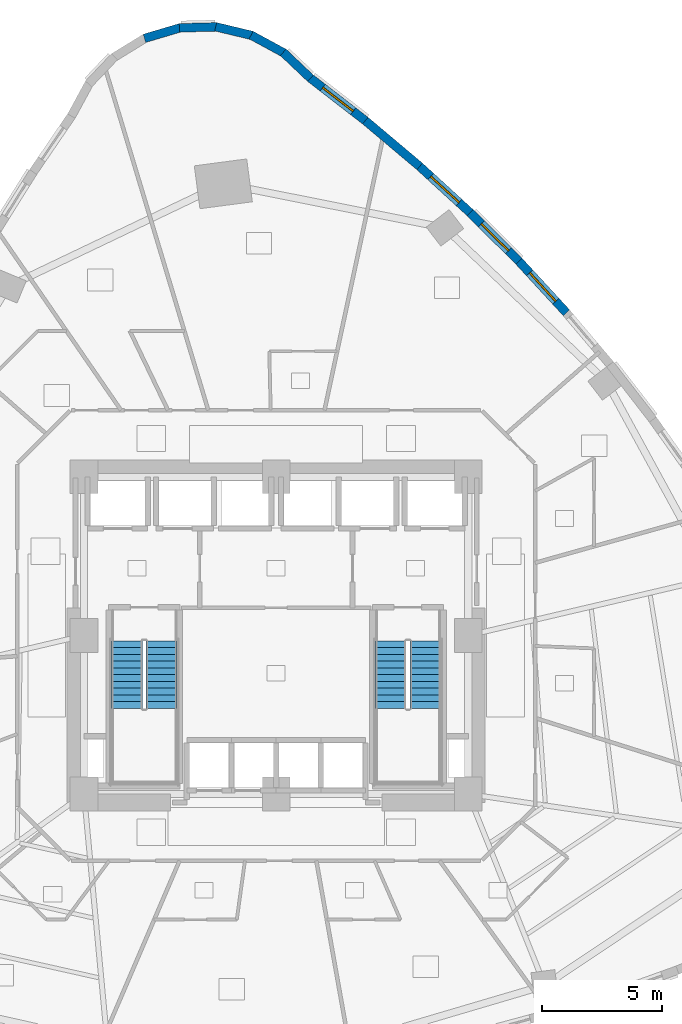
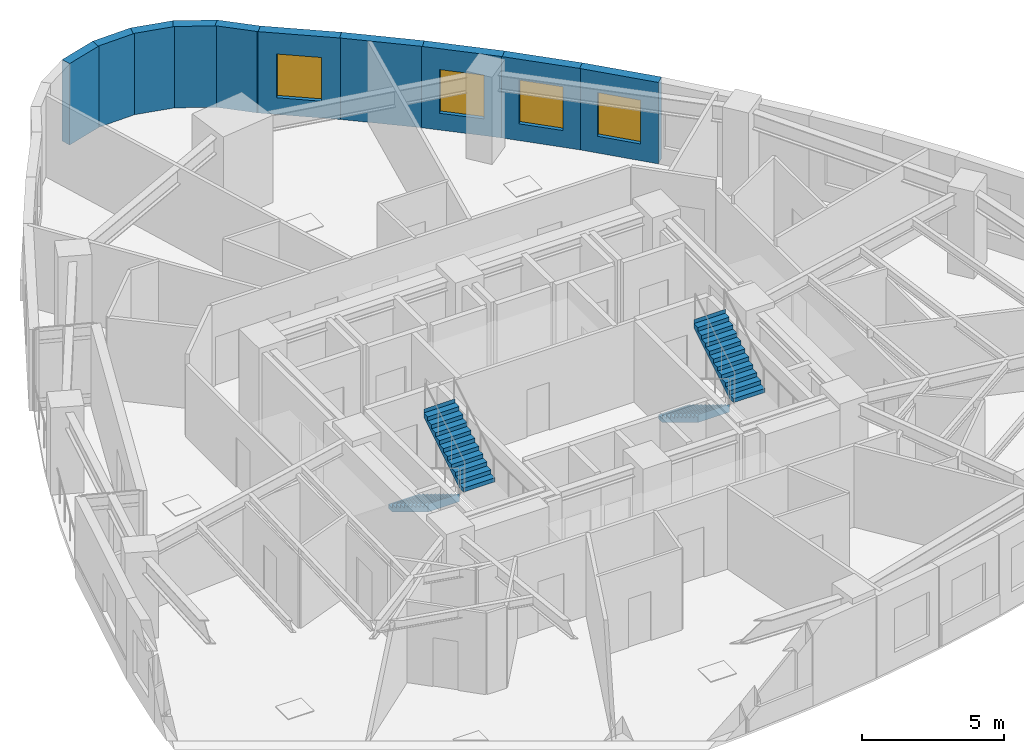
# One storey, part 9 of 12: 10 walls, 4 stair flights, 4 windows, 4 openings, 2 elements without a shape of their own.
"""IFC4 building model written with IfcOpenShell, lengths in metres."""

from ifc_helpers import new_model, si_unit, direction, frame, frame_2d, origin, place, context, subcontext, project, spatial, polyline, rectangle, outline, extrude, material, layer, layer_set, type_object, element, fill, aggregate, save


model = new_model("IFC4")

# Units and contexts
model_context = context("Model", 3, precision=1e-05, world=origin(), true_north=direction((0.0, 1.0)))
body_context = subcontext(model_context, "Body", "Model", "MODEL_VIEW")
ifc_project = project(units=[si_unit("LENGTHUNIT", "METRE"), si_unit("AREAUNIT", "SQUARE_METRE"), si_unit("VOLUMEUNIT", "CUBIC_METRE"), si_unit("PLANEANGLEUNIT", "RADIAN"), si_unit("MASSUNIT", "GRAM", prefix="KILO")], contexts=[model_context])

# Site, building, storey
site_placement = place(None, origin())
site = spatial("IfcSite", under=ifc_project, at=site_placement, CompositionType="ELEMENT")
building_placement = place(site_placement, origin())
building = spatial("IfcBuilding", under=site, at=building_placement, Name="Ndelora Gate Hotel", CompositionType="ELEMENT")
storey_placement = place(building_placement, frame((0.0, 0.0, 64.25)))
storey = spatial("IfcBuildingStorey", under=building, at=storey_placement, Name="L15", CompositionType="ELEMENT", Elevation=64.25)

# Walls
ifc_material_1 = material(Name="Clay Brick Masonry", Category="masonry")
ifc_layer = layer(ifc_material_1, 0.360107421875)
ifc_layer_set = layer_set([ifc_layer], Name="Clay Brick Masonry")
wall_type = type_object("IfcWallType", Name="WL-BRICK-360", PredefinedType="SOLIDWALL", material=ifc_layer_set)
for number, where, z_axis, x_axis, name in (
    (1, (0.29248046875, 24.2734375, 0.0), (0.0, 0.0, 1.0), (0.725361771345, -0.688367852729, 0.0), "L15 Tower Brick Pier-and-Spandrel Wall TWR-1"),
    (2, (-1.0419921875, 24.99072265625, 0.0), (0.0, 0.0, 1.0), (0.878806678118, -0.477177977799, 0.0), "L15 Tower Brick Pier-and-Spandrel Wall TWR-2"),
    (3, (-2.5166015625, 25.337890625, 0.0), (0.0, 0.0, 1.0), (0.972385884962, -0.233378856641, 0.0), "L15 Tower Brick Pier-and-Spandrel Wall TWR-3"),
):
    element("IfcWall", number, at=place(storey_placement, frame(where, z_axis=z_axis, x_axis=x_axis)), inside=storey, type_object=wall_type, Name=name, PredefinedType="SOLIDWALL", context=body_context, shape_type="SweptSolid", body=[
        extrude(rectangle(XDim=1.56396484375, YDim=0.360107421875, at=frame_2d((0.781982421875, 0.0))), origin(), (0.0, 0.0, 1.0), 3.5),
    ])
for number, where, z_axis, x_axis, name in (
    (4, (-4.031005859375, 25.2919921875, 0.0), (0.0, 0.0, 1.0), (0.999656183846, 0.026220490068, 0.0), "L15 Tower Brick Pier-and-Spandrel Wall TWR-4"),
    (5, (-5.481689453125, 24.85546875, 0.0), (0.0, 0.0, 1.0), (0.958804410816, 0.284067072714, 0.0), "L15 Tower Brick Pier-and-Spandrel Wall TWR-5"),
):
    element("IfcWall", number, at=place(storey_placement, frame(where, z_axis=z_axis, x_axis=x_axis)), inside=storey, type_object=wall_type, Name=name, PredefinedType="SOLIDWALL", context=body_context, shape_type="SweptSolid", body=[
        extrude(rectangle(XDim=1.564208984375, YDim=0.360107421875, at=frame_2d((0.7822265625, 0.0))), origin(), (0.0, 0.0, 1.0), 3.5),
    ])

# Wall, opening, window
wall_1_placement = place(storey_placement, frame((10.108642578125, 15.57568359375, 0.0), z_axis=(0.0, 0.0, 1.0), x_axis=(0.677705882399, -0.735333078925, 0.0)))
wall_1 = element("IfcWall", 6, at=wall_1_placement, inside=storey, type_object=wall_type, Name="L15 Tower Brick Pier-and-Spandrel Wall TWR-54", PredefinedType="SOLIDWALL", context=body_context, shape_type="SweptSolid", body=[
    extrude(rectangle(XDim=2.914794921875, YDim=0.360107421875, at=frame_2d((1.45751953125, 0.0))), origin(), (0.0, 0.0, 1.0), 3.5),
])
opening_1_placement = place(wall_1_placement, frame((0.657470703125, 0.0, 0.719970703125)))
opening_1 = element("IfcOpeningElement", 7, at=opening_1_placement, cuts=wall_1, Name="Opening W01", PredefinedType="OPENING", context=body_context, shape_type="SweptSolid", body=[
    extrude(rectangle(XDim=1.60009765625, YDim=1.8798828125, at=frame_2d((0.800048828125, 0.93994140625))), frame((0.0, 0.18994140625, 0.0), z_axis=(0.0, -1.0, 0.0), x_axis=(1.0, 0.0, 0.0)), (0.0, 0.0, 1.0), 0.380126953125),
])
ifc_material_2 = material(Name="Insulated Low-E Double Glazing in Bronze Aluminium Frame", Category="aluminium")
window_type = type_object("IfcWindowType", Name="WN-DEEP-1600", PartitioningType="SINGLE_PANEL", PredefinedType="WINDOW", material=ifc_material_2)
window_1_placement = place(opening_1_placement, origin())
window_1 = element("IfcWindow", 8, at=window_1_placement, inside=storey, type_object=window_type, Name="L15 Deep-Set Brick-Pier Window W01", OverallHeight=1.8798828125, OverallWidth=1.60009765625, PartitioningType="SINGLE_PANEL", PredefinedType="WINDOW", context=body_context, shape_type="SweptSolid", body=[
    extrude(rectangle(XDim=1.60009765625, YDim=1.8798828125, at=frame_2d((0.800048828125, 0.93994140625))), frame((0.0, 0.030029296875, 0.0), z_axis=(0.0, -1.0, 0.0), x_axis=(1.0, 0.0, 0.0)), (0.0, 0.0, 1.0), 0.06005859375),
])
fill(opening_1, window_1)

wall_2_placement = place(storey_placement, frame((8.071044921875, 17.6044921875, 0.0), z_axis=(0.0, 0.0, 1.0), x_axis=(0.708357483008, -0.705853863251, 0.0)))
wall_2 = element("IfcWall", 9, at=wall_2_placement, inside=storey, type_object=wall_type, Name="L15 Tower Brick Pier-and-Spandrel Wall TWR-55", PredefinedType="SOLIDWALL", context=body_context, shape_type="SweptSolid", body=[
    extrude(rectangle(XDim=2.925537109375, YDim=0.360107421875, at=frame_2d((1.462890625, 0.0))), origin(), (0.0, 0.0, 1.0), 3.5),
])
opening_2_placement = place(wall_2_placement, frame((0.66259765625, 0.0, 0.719970703125)))
opening_2 = element("IfcOpeningElement", 10, at=opening_2_placement, cuts=wall_2, Name="Opening W01", PredefinedType="OPENING", context=body_context, shape_type="SweptSolid", body=[
    extrude(rectangle(XDim=1.60009765625, YDim=1.8798828125, at=frame_2d((0.800048828125, 0.93994140625))), frame((0.0, 0.18994140625, 0.0), z_axis=(0.0, -1.0, 0.0), x_axis=(1.0, 0.0, 0.0)), (0.0, 0.0, 1.0), 0.380126953125),
])
window_2_placement = place(opening_2_placement, origin())
window_2 = element("IfcWindow", 11, at=window_2_placement, inside=storey, type_object=window_type, Name="L15 Deep-Set Brick-Pier Window W01", OverallHeight=1.8798828125, OverallWidth=1.60009765625, PartitioningType="SINGLE_PANEL", PredefinedType="WINDOW", context=body_context, shape_type="SweptSolid", body=[
    extrude(rectangle(XDim=1.60009765625, YDim=1.8798828125, at=frame_2d((0.800048828125, 0.93994140625))), frame((0.0, 0.030029296875, 0.0), z_axis=(0.0, -1.0, 0.0), x_axis=(1.0, 0.0, 0.0)), (0.0, 0.0, 1.0), 0.06005859375),
])
fill(opening_2, window_2)

wall_3_placement = place(storey_placement, frame((5.938720703125, 19.556396484375, 0.0), z_axis=(0.0, 0.0, 1.0), x_axis=(0.73735397448, -0.67550656275, 0.0)))
wall_3 = element("IfcWall", 12, at=wall_3_placement, inside=storey, type_object=wall_type, Name="L15 Tower Brick Pier-and-Spandrel Wall TWR-56", PredefinedType="SOLIDWALL", context=body_context, shape_type="SweptSolid", body=[
    extrude(rectangle(XDim=2.94091796875, YDim=0.360107421875, at=frame_2d((1.470458984375, 0.0))), origin(), (0.0, 0.0, 1.0), 3.5),
])
opening_3_placement = place(wall_3_placement, frame((0.67041015625, 0.0, 0.719970703125)))
opening_3 = element("IfcOpeningElement", 13, at=opening_3_placement, cuts=wall_3, Name="Opening W01", PredefinedType="OPENING", context=body_context, shape_type="SweptSolid", body=[
    extrude(rectangle(XDim=1.60009765625, YDim=1.8798828125, at=frame_2d((0.800048828125, 0.93994140625))), frame((0.0, 0.18994140625, 0.0), z_axis=(0.0, -1.0, 0.0), x_axis=(1.0, 0.0, 0.0)), (0.0, 0.0, 1.0), 0.380126953125),
])
window_3_placement = place(opening_3_placement, origin())
window_3 = element("IfcWindow", 14, at=window_3_placement, inside=storey, type_object=window_type, Name="L15 Deep-Set Brick-Pier Window W01", OverallHeight=1.8798828125, OverallWidth=1.60009765625, PartitioningType="SINGLE_PANEL", PredefinedType="WINDOW", context=body_context, shape_type="SweptSolid", body=[
    extrude(rectangle(XDim=1.60009765625, YDim=1.8798828125, at=frame_2d((0.800048828125, 0.93994140625))), frame((0.0, 0.030029296875, 0.0), z_axis=(0.0, -1.0, 0.0), x_axis=(1.0, 0.0, 0.0)), (0.0, 0.0, 1.0), 0.06005859375),
])
fill(opening_3, window_3)

# Wall
wall_4_placement = place(storey_placement, frame((3.71142578125, 21.431396484375, 0.0), z_axis=(0.0, 0.0, 1.0), x_axis=(0.764797881092, -0.644270285732, 0.0)))
element("IfcWall", 15, at=wall_4_placement, inside=storey, type_object=wall_type, Name="L15 Tower Brick Pier-and-Spandrel Wall TWR-57", PredefinedType="SOLIDWALL", context=body_context, shape_type="SweptSolid", body=[
    extrude(rectangle(XDim=2.96142578125, YDim=0.360107421875, at=frame_2d((1.480712890625, 0.0))), origin(), (0.0, 0.0, 1.0), 3.5),
])

# Wall, opening, window
wall_5_placement = place(storey_placement, frame((1.388916015625, 23.229248046875, 0.0), z_axis=(0.0, 0.0, 1.0), x_axis=(0.79052584694, -0.612428677742, 0.0)))
wall_5 = element("IfcWall", 16, at=wall_5_placement, inside=storey, type_object=wall_type, Name="L15 Tower Brick Pier-and-Spandrel Wall TWR-58", PredefinedType="SOLIDWALL", context=body_context, shape_type="SweptSolid", body=[
    extrude(rectangle(XDim=2.987060546875, YDim=0.360107421875, at=frame_2d((1.49365234375, 0.0))), origin(), (0.0, 0.0, 1.0), 3.5),
])
opening_4_placement = place(wall_5_placement, frame((0.693603515625, 0.0, 0.719970703125)))
opening_4 = element("IfcOpeningElement", 17, at=opening_4_placement, cuts=wall_5, Name="Opening W01", PredefinedType="OPENING", context=body_context, shape_type="SweptSolid", body=[
    extrude(rectangle(XDim=1.60009765625, YDim=1.8798828125, at=frame_2d((0.800048828125, 0.93994140625))), frame((0.0, 0.18994140625, 0.0), z_axis=(0.0, -1.0, 0.0), x_axis=(1.0, 0.0, 0.0)), (0.0, 0.0, 1.0), 0.380126953125),
])
window_4_placement = place(opening_4_placement, origin())
window_4 = element("IfcWindow", 18, at=window_4_placement, inside=storey, type_object=window_type, Name="L15 Deep-Set Brick-Pier Window W01", OverallHeight=1.8798828125, OverallWidth=1.60009765625, PartitioningType="SINGLE_PANEL", PredefinedType="WINDOW", context=body_context, shape_type="SweptSolid", body=[
    extrude(rectangle(XDim=1.60009765625, YDim=1.8798828125, at=frame_2d((0.800048828125, 0.93994140625))), frame((0.0, 0.030029296875, 0.0), z_axis=(0.0, -1.0, 0.0), x_axis=(1.0, 0.0, 0.0)), (0.0, 0.0, 1.0), 0.06005859375),
])
fill(opening_4, window_4)

# Stair, stair flights
ifc_material_3 = material(Name="Precast concrete C40/50", Category="concrete")
stair_type = type_object("IfcStairType", Name="STR-DOG-CORE", PredefinedType="HALF_TURN_STAIR", material=ifc_material_3)
stair_1_placement = place(storey_placement, origin())
stair_1 = element("IfcStair", 19, at=stair_1_placement, inside=storey, type_object=stair_type, Name="L15 Protected Core Exit Stair ST4", PredefinedType="HALF_TURN_STAIR")
stair_flight_type = type_object("IfcStairFlightType", Name="STF-PRECAST", PredefinedType="STRAIGHT", material=ifc_material_3)
stair_flight_1_placement = place(storey_placement, frame((-6.2099609375, -0.22998046875, 0.0), z_axis=(0.0, 0.0, 1.0), x_axis=(0.0, -1.0, 0.0)))
stair_flight_1 = element("IfcStairFlight", 20, at=stair_flight_1_placement, type_object=stair_flight_type, Name="ST4 flight 1", NumberOfRisers=11, NumberOfTreads=10, PredefinedType="STRAIGHT", RiserHeight=0.170454545, TreadLength=0.28, context=body_context, shape_type="SweptSolid", body=[
    extrude(outline(polyline([(-0.00048828125, 0.0), (-0.00048828125, 0.17041015625), (0.0, 0.17041015625), (0.280029296875, 0.17041015625), (0.280029296875, 0.3408203125), (0.56005859375, 0.3408203125), (0.56005859375, 0.511474609375), (0.840087890625, 0.511474609375), (0.840087890625, 0.681884765625), (1.1201171875, 0.681884765625), (1.1201171875, 0.852294921875), (1.39990234375, 0.852294921875), (1.39990234375, 1.022705078125), (1.679931640625, 1.022705078125), (1.679931640625, 1.193115234375), (1.9599609375, 1.193115234375), (1.9599609375, 1.363525390625), (2.239990234375, 1.363525390625), (2.239990234375, 1.5341796875), (2.52001953125, 1.5341796875), (2.52001953125, 1.70458984375), (2.800048828125, 1.70458984375), (2.800048828125, 1.875), (2.800537109375, 1.875), (2.800537109375, 1.695068359375), (2.800048828125, 1.529052734375), (0.288330078125, 0.0), (-0.00048828125, 0.0)])), frame((0.0, 0.64013671875, 0.0), z_axis=(0.0, -1.0, 0.0), x_axis=(1.0, 0.0, 0.0)), (0.0, 0.0, 1.0), 1.280029296875),
])
stair_flight_2_placement = place(storey_placement, frame((-4.77001953125, -3.030029296875, 1.875), z_axis=(0.0, 0.0, 1.0), x_axis=(0.0, 1.0, 0.0)))
stair_flight_2 = element("IfcStairFlight", 21, at=stair_flight_2_placement, type_object=stair_flight_type, Name="ST4 flight 2", NumberOfRisers=11, NumberOfTreads=10, PredefinedType="STRAIGHT", RiserHeight=0.170454545, TreadLength=0.28, context=body_context, shape_type="SweptSolid", body=[
    extrude(outline(polyline([(-0.00048828125, 0.0), (-0.00048828125, 0.17041015625), (0.0, 0.17041015625), (0.280029296875, 0.17041015625), (0.280029296875, 0.3408203125), (0.56005859375, 0.3408203125), (0.56005859375, 0.511474609375), (0.840087890625, 0.511474609375), (0.840087890625, 0.681884765625), (1.1201171875, 0.681884765625), (1.1201171875, 0.852294921875), (1.39990234375, 0.852294921875), (1.39990234375, 1.022705078125), (1.679931640625, 1.022705078125), (1.679931640625, 1.193115234375), (1.9599609375, 1.193115234375), (1.9599609375, 1.363525390625), (2.239990234375, 1.363525390625), (2.239990234375, 1.5341796875), (2.52001953125, 1.5341796875), (2.52001953125, 1.70458984375), (2.800048828125, 1.70458984375), (2.800048828125, 1.875), (2.800537109375, 1.875), (2.800537109375, 1.695068359375), (2.800048828125, 1.529052734375), (0.288330078125, 0.0), (-0.00048828125, 0.0)])), frame((0.0, 0.64013671875, 0.0), z_axis=(0.0, -1.0, 0.0), x_axis=(1.0, 0.0, 0.0)), (0.0, 0.0, 1.0), 1.280029296875),
])
aggregate(stair_1, [stair_flight_1, stair_flight_2])

stair_2_placement = place(storey_placement, origin())
stair_2 = element("IfcStair", 22, at=stair_2_placement, inside=storey, type_object=stair_type, Name="L15 Protected Core Exit Stair ST5", PredefinedType="HALF_TURN_STAIR")
stair_flight_3_placement = place(storey_placement, frame((4.77001953125, -0.22998046875, 0.0), z_axis=(0.0, 0.0, 1.0), x_axis=(0.0, -1.0, 0.0)))
stair_flight_3 = element("IfcStairFlight", 23, at=stair_flight_3_placement, type_object=stair_flight_type, Name="ST5 flight 1", NumberOfRisers=11, NumberOfTreads=10, PredefinedType="STRAIGHT", RiserHeight=0.170454545, TreadLength=0.28, context=body_context, shape_type="SweptSolid", body=[
    extrude(outline(polyline([(-0.00048828125, 0.0), (-0.00048828125, 0.17041015625), (0.0, 0.17041015625), (0.280029296875, 0.17041015625), (0.280029296875, 0.3408203125), (0.56005859375, 0.3408203125), (0.56005859375, 0.511474609375), (0.840087890625, 0.511474609375), (0.840087890625, 0.681884765625), (1.1201171875, 0.681884765625), (1.1201171875, 0.852294921875), (1.39990234375, 0.852294921875), (1.39990234375, 1.022705078125), (1.679931640625, 1.022705078125), (1.679931640625, 1.193115234375), (1.9599609375, 1.193115234375), (1.9599609375, 1.363525390625), (2.239990234375, 1.363525390625), (2.239990234375, 1.5341796875), (2.52001953125, 1.5341796875), (2.52001953125, 1.70458984375), (2.800048828125, 1.70458984375), (2.800048828125, 1.875), (2.800537109375, 1.875), (2.800537109375, 1.695068359375), (2.800048828125, 1.529052734375), (0.288330078125, 0.0), (-0.00048828125, 0.0)])), frame((0.0, 0.64013671875, 0.0), z_axis=(0.0, -1.0, 0.0), x_axis=(1.0, 0.0, 0.0)), (0.0, 0.0, 1.0), 1.280029296875),
])
stair_flight_4_placement = place(storey_placement, frame((6.2099609375, -3.030029296875, 1.875), z_axis=(0.0, 0.0, 1.0), x_axis=(0.0, 1.0, 0.0)))
stair_flight_4 = element("IfcStairFlight", 24, at=stair_flight_4_placement, type_object=stair_flight_type, Name="ST5 flight 2", NumberOfRisers=11, NumberOfTreads=10, PredefinedType="STRAIGHT", RiserHeight=0.170454545, TreadLength=0.28, context=body_context, shape_type="SweptSolid", body=[
    extrude(outline(polyline([(-0.00048828125, 0.0), (-0.00048828125, 0.17041015625), (0.0, 0.17041015625), (0.280029296875, 0.17041015625), (0.280029296875, 0.3408203125), (0.56005859375, 0.3408203125), (0.56005859375, 0.511474609375), (0.840087890625, 0.511474609375), (0.840087890625, 0.681884765625), (1.1201171875, 0.681884765625), (1.1201171875, 0.852294921875), (1.39990234375, 0.852294921875), (1.39990234375, 1.022705078125), (1.679931640625, 1.022705078125), (1.679931640625, 1.193115234375), (1.9599609375, 1.193115234375), (1.9599609375, 1.363525390625), (2.239990234375, 1.363525390625), (2.239990234375, 1.5341796875), (2.52001953125, 1.5341796875), (2.52001953125, 1.70458984375), (2.800048828125, 1.70458984375), (2.800048828125, 1.875), (2.800537109375, 1.875), (2.800537109375, 1.695068359375), (2.800048828125, 1.529052734375), (0.288330078125, 0.0), (-0.00048828125, 0.0)])), frame((0.0, 0.64013671875, 0.0), z_axis=(0.0, -1.0, 0.0), x_axis=(1.0, 0.0, 0.0)), (0.0, 0.0, 1.0), 1.280029296875),
])
aggregate(stair_2, [stair_flight_3, stair_flight_4])

save(model, "model.ifc")
